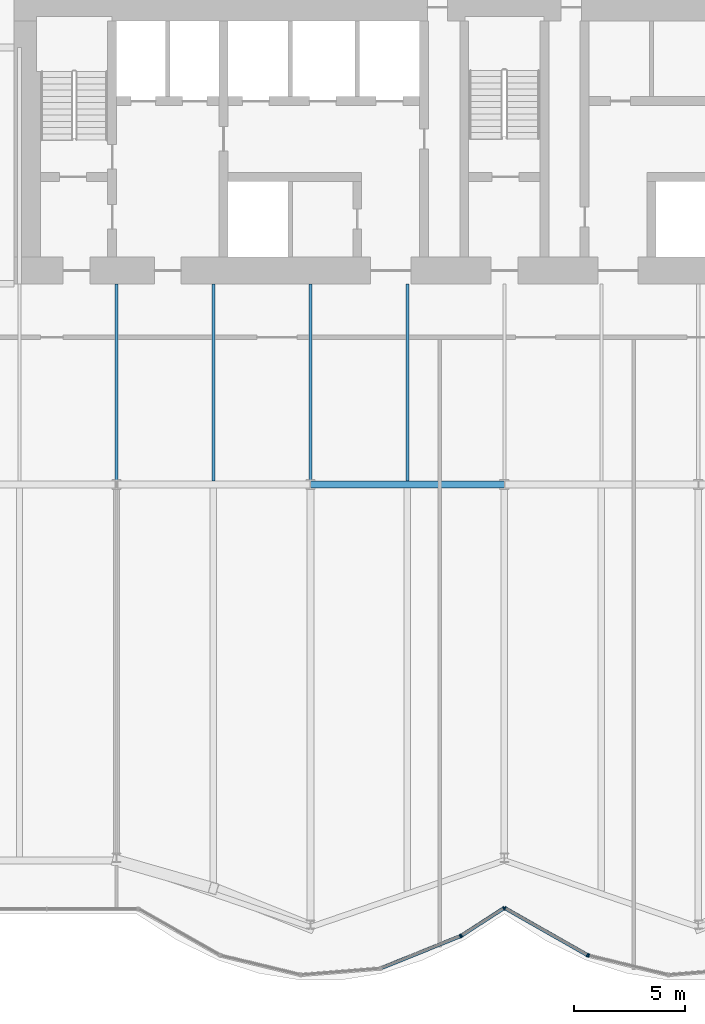
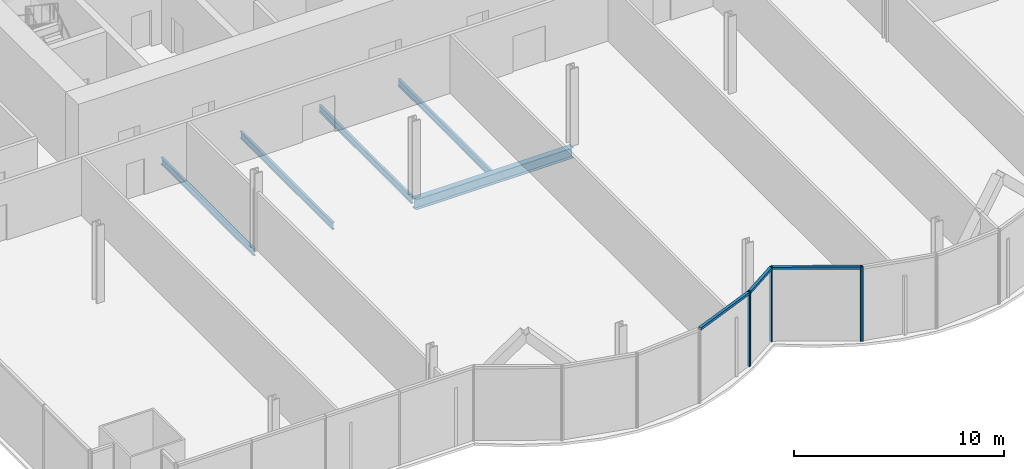
# One storey, part 7 of 21: 9 members, 5 beams, 2 elements without a shape of their own.
"""IFC4 building model written with IfcOpenShell, lengths in metres."""

import ifcopenshell
import ifcopenshell.guid

model = None  # the IFC model being written
_history = None  # IfcOwnerHistory: only IFC2X3 demands one
_inside = {}  # id of a spatial element -> (the spatial element, [elements in it])
_under = {}  # id of a project, library or spatial element -> (it, [spatial elements below it])
_declared = {}  # id of a project -> (the project, [libraries it declares])
_typed = {}  # id of a type object -> (the type object, [elements of that type])
_made_of = {}  # id of a material, layer set ... -> (it, [elements and type objects made of it])


def new_model(schema):
    """Start an empty IFC model of exactly this schema.

    Asked for "IFC4X3", IfcOpenShell would pick the latest addendum, in which some entities
    have other attributes; the version numbers below select the first issue.
    IFC2X3 requires an IfcOwnerHistory on every rooted entity: one is made here for all.
    """
    global model, _history
    if schema == "IFC4X3":
        model = ifcopenshell.file(schema_version=(4, 3, 0, 0))
    else:
        model = ifcopenshell.file(schema=schema)
    _inside.clear()
    _under.clear()
    _declared.clear()
    _typed.clear()
    _made_of.clear()
    _history = None
    if model.schema == "IFC2X3":
        org = make("IfcOrganization", Name="unknown")
        user = make(
            "IfcPersonAndOrganization",
            ThePerson=make("IfcPerson", FamilyName="unknown"),
            TheOrganization=org,
        )
        app = make(
            "IfcApplication",
            ApplicationDeveloper=org,
            Version="unknown",
            ApplicationFullName="unknown",
            ApplicationIdentifier="unknown",
        )
        _history = make(
            "IfcOwnerHistory",
            OwningUser=user,
            OwningApplication=app,
            ChangeAction="ADDED",
            CreationDate=0,
        )
    return model


def make(cls, **values):
    """One entity of the class cls with the attributes given. An attribute that is None is left unset."""
    return model.create_entity(
        cls, **{name: value for name, value in values.items() if value is not None}
    )


def rooted(cls, **values):
    """An entity with a GlobalId (a new one), such as an element, a storey or a relation."""
    return make(cls, GlobalId=ifcopenshell.guid.new(), OwnerHistory=_history, **values)


def si_unit(unit_type, name, prefix=None):
    """IfcSIUnit, for example si_unit("LENGTHUNIT", "METRE", prefix="MILLI")."""
    return make("IfcSIUnit", UnitType=unit_type, Prefix=prefix, Name=name)


def assignment(units):
    """IfcUnitAssignment: the units of a project."""
    return None if units is None else make("IfcUnitAssignment", Units=units)


def point(xyz):
    """IfcCartesianPoint."""
    return None if xyz is None else make("IfcCartesianPoint", Coordinates=xyz)


def direction(xyz):
    """IfcDirection."""
    return None if xyz is None else make("IfcDirection", DirectionRatios=xyz)


def frame(location, z_axis=None, x_axis=None):
    """IfcAxis2Placement3D, a coordinate frame: its origin and axes. An axis left out is left unset."""
    return make(
        "IfcAxis2Placement3D",
        Location=point(location),
        Axis=direction(z_axis),
        RefDirection=direction(x_axis),
    )


def frame_2d(location, x_axis=None):
    """IfcAxis2Placement2D, a coordinate frame in the plane: its origin and x axis."""
    return make(
        "IfcAxis2Placement2D", Location=point(location), RefDirection=direction(x_axis)
    )


def origin():
    """The frame at (0, 0, 0) with its axes left unset."""
    return frame((0.0, 0.0, 0.0))


def origin_2d():
    """The frame at (0, 0) in the plane with its x axis left unset."""
    return frame_2d((0.0, 0.0))


def place(relative_to, where):
    """IfcLocalPlacement: puts the frame where relative to a parent placement (None: the world)."""
    return make(
        "IfcLocalPlacement", PlacementRelTo=relative_to, RelativePlacement=where
    )


def context(
    kind, dimensions, precision=None, world=None, true_north=None, identifier=None
):
    """IfcGeometricRepresentationContext, for example the 3D "Model" context."""
    return make(
        "IfcGeometricRepresentationContext",
        ContextIdentifier=identifier,
        ContextType=kind,
        CoordinateSpaceDimension=dimensions,
        Precision=precision,
        WorldCoordinateSystem=world,
        TrueNorth=true_north,
    )


def subcontext(parent, identifier, kind, view, scale=None):
    """IfcGeometricRepresentationSubContext, for example "Body" below "Model"."""
    return make(
        "IfcGeometricRepresentationSubContext",
        ContextIdentifier=identifier,
        ContextType=kind,
        ParentContext=parent,
        TargetScale=scale,
        TargetView=view,
    )


def project(units=None, contexts=None):
    """IfcProject with its units and contexts."""
    return rooted(
        "IfcProject",
        Name="project",
        RepresentationContexts=contexts,
        UnitsInContext=assignment(units),
    )


def spatial(cls, under=None, at=None, **own):
    """A site, building, storey or space (cls), placed at a placement, below another one or the project."""
    s = rooted(cls, ObjectPlacement=at, **own)
    if under is not None:
        _under.setdefault(under.id(), (under, []))[1].append(s)
    return s


def profile(cls, at=None, kind="AREA", **sizes):
    """A parametric profile (cls). Its sizes go by their IFC names, for example OverallWidth=200.0."""
    return make(cls, ProfileType=kind, Position=at, **sizes)


def rectangle(**sizes):
    """IfcRectangleProfileDef."""
    return profile("IfcRectangleProfileDef", **sizes)


def i_section(**sizes):
    """IfcIShapeProfileDef."""
    return profile("IfcIShapeProfileDef", **sizes)


def extrude(swept, where, along, depth):
    """IfcExtrudedAreaSolid: the profile swept, set in the frame where, extruded along a direction by depth."""
    return make(
        "IfcExtrudedAreaSolid",
        SweptArea=swept,
        Position=where,
        ExtrudedDirection=direction(along),
        Depth=depth,
    )


def shape(context_of_items, identifier, shape_type, items):
    """IfcShapeRepresentation: the items that make up one representation, for example the "Body"."""
    return make(
        "IfcShapeRepresentation",
        ContextOfItems=context_of_items,
        RepresentationIdentifier=identifier,
        RepresentationType=shape_type,
        Items=items,
    )


def material(Name=None, Category=None):
    """IfcMaterial."""
    return make("IfcMaterial", Name=Name, Category=Category)


def material_profile(
    of_material, cross_section, Name=None, Category=None, Priority=None
):
    """IfcMaterialProfile: a cross section and its material."""
    return make(
        "IfcMaterialProfile",
        Name=Name,
        Material=of_material,
        Profile=cross_section,
        Priority=Priority,
        Category=Category,
    )


def profile_set(profiles, Name=None, composite=None):
    """IfcMaterialProfileSet."""
    return make(
        "IfcMaterialProfileSet",
        Name=Name,
        MaterialProfiles=profiles,
        CompositeProfile=composite,
    )


def made_of(thing, what):
    """Note that an element or type object is made of a material, layer set ...; save() writes the relation."""
    if what is not None:
        _made_of.setdefault(what.id(), (what, []))[1].append(thing)
    return thing


def type_object(cls, material=None, **own):
    """A type object (cls), such as IfcWallType, which elements share."""
    return made_of(rooted(cls, **own), material)


def element(
    cls,
    number,
    at=None,
    inside=None,
    cuts=None,
    type_object=None,
    material=None,
    context=None,
    identifier="Body",
    shape_type=None,
    held_by="IfcProductDefinitionShape",
    body=None,
    shapes=None,
    **own,
):
    """One element of the class cls, such as IfcWall. Its Tag is "e" and its number.

    at: its placement. inside: the storey or other place that contains it. cuts: it is an
    opening in that element (IfcRelVoidsElement). A single representation is given by context,
    identifier, shape_type and body (its items); several are given by shapes. held_by: the class
    of the entity that holds the representations. save() writes the other relations.
    """
    e = rooted(cls, Tag="e%d" % number, ObjectPlacement=at, **own)
    if body is not None:
        shapes = [shape(context, identifier, shape_type, body)]
    if shapes is not None:
        e.Representation = make(held_by, Representations=shapes)
    if inside is not None:
        _inside.setdefault(inside.id(), (inside, []))[1].append(e)
    if cuts is not None:
        rooted(
            "IfcRelVoidsElement", RelatingBuildingElement=cuts, RelatedOpeningElement=e
        )
    if type_object is not None:
        _typed.setdefault(type_object.id(), (type_object, []))[1].append(e)
    return made_of(e, material)


def aggregate(whole, parts):
    """IfcRelAggregates: a whole, such as a stair, and the parts it consists of."""
    return rooted("IfcRelAggregates", RelatingObject=whole, RelatedObjects=parts)


def save(model, path):
    """Write the relations noted so far, then the file.

    IfcRelAggregates (storeys below a building ...), IfcRelContainedInSpatialStructure (elements
    in a storey), IfcRelDefinesByType, IfcRelAssociatesMaterial and IfcRelDeclares: one each for
    every whole, place, type object, material and project.
    """
    for whole, parts in _under.values():
        aggregate(whole, parts)
    for where, things in _inside.values():
        rooted(
            "IfcRelContainedInSpatialStructure",
            RelatedElements=things,
            RelatingStructure=where,
        )
    for kind, things in _typed.values():
        rooted("IfcRelDefinesByType", RelatedObjects=things, RelatingType=kind)
    for what, things in _made_of.values():
        rooted("IfcRelAssociatesMaterial", RelatedObjects=things, RelatingMaterial=what)
    for by, libraries in _declared.values():
        rooted("IfcRelDeclares", RelatingContext=by, RelatedDefinitions=libraries)
    model.write(path)


model = new_model("IFC4")

# Units and contexts
model_context = context("Model", 3, precision=1e-05, world=origin(), true_north=direction((0.0, 1.0)))
body_context = subcontext(model_context, "Body", "Model", "MODEL_VIEW")
ifc_project = project(units=[si_unit("LENGTHUNIT", "METRE"), si_unit("AREAUNIT", "SQUARE_METRE"), si_unit("VOLUMEUNIT", "CUBIC_METRE"), si_unit("PLANEANGLEUNIT", "RADIAN"), si_unit("MASSUNIT", "GRAM", prefix="KILO")], contexts=[model_context])

# Site, building, storey
site_placement = place(None, origin())
site = spatial("IfcSite", under=ifc_project, at=site_placement, CompositionType="ELEMENT")
building_placement = place(site_placement, origin())
building = spatial("IfcBuilding", under=site, at=building_placement, Name="Bicima Exchange Tower", CompositionType="ELEMENT")
storey_placement = place(building_placement, frame((0.0, 0.0, 48.5)))
storey = spatial("IfcBuildingStorey", under=building, at=storey_placement, Name="L09", CompositionType="ELEMENT", Elevation=48.5)

# Beams
ifc_material_1 = material(Name="Steel ASTM A992 Gr 50", Category="steel")
ifc_material_profile_1 = material_profile(ifc_material_1, i_section(OverallWidth=0.140380859375, OverallDepth=0.40380859375, WebThickness=0.007080078125, FlangeThickness=0.01123046875, at=origin_2d()))
ifc_profile_set_1 = profile_set([ifc_material_profile_1], Name="Steel ASTM A992 Gr 50")
beam_type_1 = type_object("IfcBeamType", Name="Floor beam W16x31", PredefinedType="JOIST", material=ifc_profile_set_1)
for number, where, z_axis, x_axis, name in (
    (1, (-17.39990234375, -13.0, -0.351806640625), (0.0, -1.0, 0.0), (1.0, 0.0, 0.0), "Floor beam"),
    (2, (-13.050048828125, -13.0, -0.351806640625), (0.0, -1.0, 0.0), (1.0, 0.0, 0.0), "Floor beam"),
    (3, (-8.699951171875, -13.0, -0.351806640625), (0.0, -1.0, 0.0), (1.0, 0.0, 0.0), "Floor beam"),
    (4, (-4.35009765625, -13.0, -0.351806640625), (0.0, -1.0, 0.0), (1.0, 0.0, 0.0), "Floor beam"),
):
    element("IfcBeam", number, at=place(storey_placement, frame(where, z_axis=z_axis, x_axis=x_axis)), inside=storey, type_object=beam_type_1, Name=name, PredefinedType="JOIST", context=body_context, shape_type="SweptSolid", body=[
        extrude(i_section(OverallWidth=0.140380859375, OverallDepth=0.40380859375, WebThickness=0.007080078125, FlangeThickness=0.01123046875, at=origin_2d()), origin(), (0.0, 0.0, 1.0), 8.83740234375),
    ])

# Curtain wall, members
ifc_material_2 = material(Name="Anodised bronze aluminium", Category="aluminium")
curtain_wall_type = type_object("IfcCurtainWallType", Name="Front glass wall", PredefinedType="NOTDEFINED", material=ifc_material_2)
curtain_wall_1_placement = place(storey_placement, origin())
curtain_wall_1 = element("IfcCurtainWall", 5, at=curtain_wall_1_placement, inside=storey, type_object=curtain_wall_type, Name="Front glass wall L09 run 6", PredefinedType="NOTDEFINED")
ifc_material_profile_2 = material_profile(ifc_material_2, rectangle(XDim=0.159912109375, YDim=0.06005859375, at=origin_2d()))
ifc_profile_set_2 = profile_set([ifc_material_profile_2], Name="Anodised bronze aluminium")
member_type_1 = type_object("IfcMemberType", Name="Front glass wall mullion 60 x 160", PredefinedType="MULLION", material=ifc_profile_set_2)
member_1_placement = place(storey_placement, frame((-1.97412109375, -42.263671875, 0.0), z_axis=(0.0, 0.0, 1.0), x_axis=(-0.374705304, 0.92714396679, 0.0)))
member_1 = element("IfcMember", 6, at=member_1_placement, type_object=member_type_1, Name="Front glass wall mullion 2", PredefinedType="MULLION", context=body_context, shape_type="SweptSolid", body=[
    extrude(rectangle(XDim=0.159912109375, YDim=0.06005859375, at=origin_2d()), origin(), (0.0, 0.0, 1.0), 4.35009765625),
])
member_2_placement = place(storey_placement, frame((-1.921142578125, -42.236083984375, 0.0), z_axis=(0.0, 0.0, 1.0), x_axis=(-0.542897457326, 0.839798994301, 0.0)))
member_2 = element("IfcMember", 7, at=member_2_placement, type_object=member_type_1, Name="Front glass wall mullion 1", PredefinedType="MULLION", context=body_context, shape_type="SweptSolid", body=[
    extrude(rectangle(XDim=0.159912109375, YDim=0.06005859375, at=origin_2d()), origin(), (0.0, 0.0, 1.0), 4.35009765625),
])
member_3_placement = place(storey_placement, frame((-0.025146484375, -41.010498046875, 0.0), z_axis=(0.0, 0.0, 1.0), x_axis=(-0.542897457326, 0.839798994301, 0.0)))
member_3 = element("IfcMember", 8, at=member_3_placement, type_object=member_type_1, Name="Front glass wall mullion 2", PredefinedType="MULLION", context=body_context, shape_type="SweptSolid", body=[
    extrude(rectangle(XDim=0.159912109375, YDim=0.06005859375, at=origin_2d()), origin(), (0.0, 0.0, 1.0), 4.35009765625),
])

curtain_wall_2_placement = place(storey_placement, origin())
curtain_wall_2 = element("IfcCurtainWall", 9, at=curtain_wall_2_placement, inside=storey, type_object=curtain_wall_type, Name="Front glass wall L09 run 11", PredefinedType="NOTDEFINED")
member_4_placement = place(storey_placement, frame((0.026123046875, -41.009033203125, 0.0), z_axis=(0.0, 0.0, 1.0), x_axis=(0.494330311331, 0.869274147378, 0.0)))
member_4 = element("IfcMember", 10, at=member_4_placement, type_object=member_type_1, Name="Front glass wall mullion 1", PredefinedType="MULLION", context=body_context, shape_type="SweptSolid", body=[
    extrude(rectangle(XDim=0.159912109375, YDim=0.06005859375, at=origin_2d()), origin(), (0.0, 0.0, 1.0), 4.35009765625),
])
member_5_placement = place(storey_placement, frame((3.7265625, -43.11328125, 0.0), z_axis=(0.0, 0.0, 1.0), x_axis=(0.494330311331, 0.869274147378, 0.0)))
member_5 = element("IfcMember", 11, at=member_5_placement, type_object=member_type_1, Name="Front glass wall mullion 2", PredefinedType="MULLION", context=body_context, shape_type="SweptSolid", body=[
    extrude(rectangle(XDim=0.159912109375, YDim=0.06005859375, at=origin_2d()), origin(), (0.0, 0.0, 1.0), 4.35009765625),
])
member_6_placement = place(storey_placement, frame((3.781982421875, -43.13525390625, 0.0), z_axis=(0.0, 0.0, 1.0), x_axis=(0.235681529503, 0.971830343553, 0.0)))
member_6 = element("IfcMember", 12, at=member_6_placement, type_object=member_type_1, Name="Front glass wall mullion 1", PredefinedType="MULLION", context=body_context, shape_type="SweptSolid", body=[
    extrude(rectangle(XDim=0.159912109375, YDim=0.06005859375, at=origin_2d()), origin(), (0.0, 0.0, 1.0), 4.35009765625),
])

# Member
ifc_material_profile_3 = material_profile(ifc_material_2, rectangle(XDim=0.159912109375, YDim=0.139892578125, at=origin_2d()))
ifc_profile_set_3 = profile_set([ifc_material_profile_3], Name="Anodised bronze aluminium")
member_type_2 = type_object("IfcMemberType", Name="Front glass wall transom 140 x 160", PredefinedType="USERDEFINED", material=ifc_profile_set_3)
member_7_placement = place(storey_placement, frame((-5.498291015625, -43.68798828125, 4.280029296875), z_axis=(0.927140215882, 0.374714584842, 0.0), x_axis=(-0.374714584842, 0.927140215882, 0.0)))
member_7 = element("IfcMember", 13, at=member_7_placement, type_object=member_type_2, Name="Front glass wall transom 1.1", ObjectType="TRANSOM", PredefinedType="USERDEFINED", context=body_context, shape_type="SweptSolid", body=[
    extrude(rectangle(XDim=0.159912109375, YDim=0.139892578125, at=origin_2d()), origin(), (0.0, 0.0, 1.0), 3.77099609375),
])

member_8_placement = place(storey_placement, frame((-1.89599609375, -42.2197265625, 4.280029296875), z_axis=(0.839811483481, 0.542878137536, 0.0), x_axis=(-0.542878137536, 0.839811483481, 0.0)))
member_8 = element("IfcMember", 14, at=member_8_placement, type_object=member_type_2, Name="Front glass wall transom 1.1", ObjectType="TRANSOM", PredefinedType="USERDEFINED", context=body_context, shape_type="SweptSolid", body=[
    extrude(rectangle(XDim=0.159912109375, YDim=0.139892578125, at=origin_2d()), origin(), (0.0, 0.0, 1.0), 2.19775390625),
])

aggregate(curtain_wall_1, [member_1, member_7, member_2, member_3, member_8])

member_9_placement = place(storey_placement, frame((0.05224609375, -41.023681640625, 4.280029296875), z_axis=(0.869265121745, -0.494346182466, 0.0), x_axis=(0.494346182466, 0.869265121745, 0.0)))
member_9 = element("IfcMember", 15, at=member_9_placement, type_object=member_type_2, Name="Front glass wall transom 1.1", ObjectType="TRANSOM", PredefinedType="USERDEFINED", context=body_context, shape_type="SweptSolid", body=[
    extrude(rectangle(XDim=0.159912109375, YDim=0.139892578125, at=origin_2d()), origin(), (0.0, 0.0, 1.0), 4.19677734375),
])

aggregate(curtain_wall_2, [member_4, member_5, member_9, member_6])

# Beam
ifc_material_profile_4 = material_profile(ifc_material_1, i_section(OverallWidth=0.3251953125, OverallDepth=0.612060546875, WebThickness=0.0126953125, FlangeThickness=0.01904296875, at=origin_2d()))
ifc_profile_set_4 = profile_set([ifc_material_profile_4], Name="Steel ASTM A992 Gr 50")
beam_type_2 = type_object("IfcBeamType", Name="Row girder W24x104", PredefinedType="BEAM", material=ifc_profile_set_4)
beam_placement = place(storey_placement, frame((-8.699951171875, -22.0, -0.4560546875), z_axis=(1.0, 0.0, 0.0), x_axis=(0.0, 1.0, 0.0)))
element("IfcBeam", 16, at=beam_placement, inside=storey, type_object=beam_type_2, Name="Row girder", PredefinedType="BEAM", context=body_context, shape_type="SweptSolid", body=[
    extrude(i_section(OverallWidth=0.3251953125, OverallDepth=0.612060546875, WebThickness=0.0126953125, FlangeThickness=0.01904296875, at=origin_2d()), origin(), (0.0, 0.0, 1.0), 8.699951171875),
])

save(model, "model.ifc")
